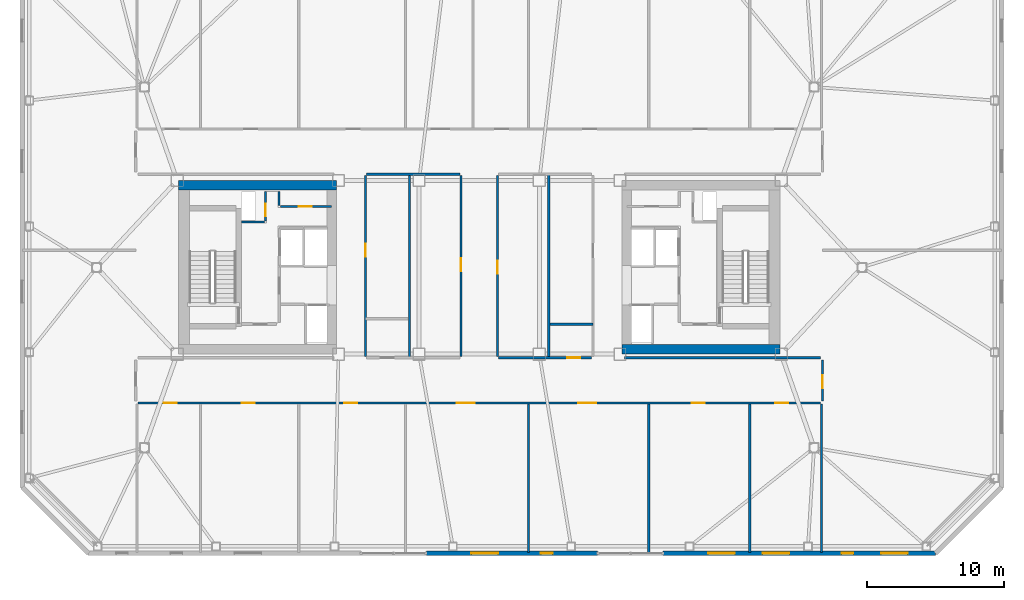
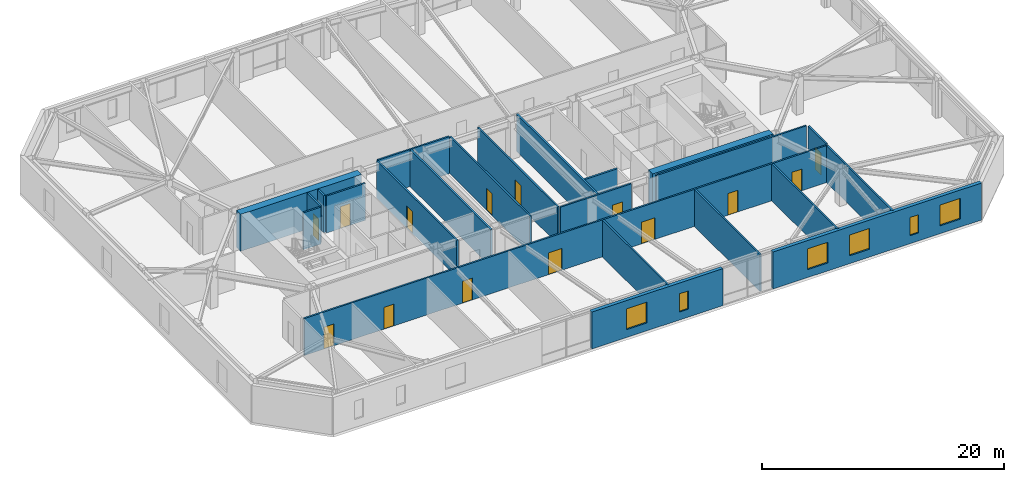
# One storey, part 11 of 18: 23 walls, 14 doors, 6 windows, 20 openings.
"""IFC4 building model written with IfcOpenShell, lengths in metres."""

from ifc_helpers import new_model, si_unit, direction, frame, frame_2d, origin, place, context, subcontext, project, spatial, rectangle, extrude, material, layer, layer_set, type_object, element, fill, save


model = new_model("IFC4")

# Units and contexts
model_context = context("Model", 3, precision=1e-05, world=origin(), true_north=direction((0.0, 1.0)))
body_context = subcontext(model_context, "Body", "Model", "MODEL_VIEW")
ifc_project = project(units=[si_unit("LENGTHUNIT", "METRE"), si_unit("AREAUNIT", "SQUARE_METRE"), si_unit("VOLUMEUNIT", "CUBIC_METRE"), si_unit("PLANEANGLEUNIT", "RADIAN"), si_unit("MASSUNIT", "GRAM", prefix="KILO")], contexts=[model_context])

# Site, building, storey
site_placement = place(None, origin())
site = spatial("IfcSite", under=ifc_project, at=site_placement, CompositionType="ELEMENT")
building_placement = place(site_placement, origin())
building = spatial("IfcBuilding", under=site, at=building_placement, Name="Tavrogorsk Clinical Tower", CompositionType="ELEMENT")
storey_placement = place(building_placement, frame((0.0, 0.0, 200.199951171875)))
storey = spatial("IfcBuildingStorey", under=building, at=storey_placement, Name="L46", CompositionType="ELEMENT", Elevation=200.199951171875)

# Wall, opening, door
ifc_material_1 = material(Name="Lightweight concrete blockwork B15", Category="masonry")
ifc_layer_1 = layer(ifc_material_1, 0.159912109375)
ifc_layer_set_1 = layer_set([ifc_layer_1], Name="Lightweight concrete blockwork B15")
wall_type_1 = type_object("IfcWallType", Name="PartitionWall_160", PredefinedType="PARTITIONING", material=ifc_layer_set_1)
wall_1_placement = place(storey_placement, frame((-14.554931640625, 4.4599609375, 0.0), z_axis=(0.0, 0.0, 1.0), x_axis=(1.0, 0.0, 0.0)))
wall_1 = element("IfcWall", 1, at=wall_1_placement, inside=storey, type_object=wall_type_1, Name="L46 Core West Pneumatic Dispatch South Wall", PredefinedType="PARTITIONING", context=body_context, shape_type="SweptSolid", body=[
    extrude(rectangle(XDim=3.7548828125, YDim=0.159912109375, at=frame_2d((1.87744140625, 0.0))), origin(), (0.0, 0.0, 1.0), 3.739990234375),
])
opening_1_placement = place(wall_1_placement, frame((1.35009765625, 0.0, 0.0)))
opening_1 = element("IfcOpeningElement", 2, at=opening_1_placement, cuts=wall_1, Name="Opening ID-02", PredefinedType="OPENING", context=body_context, shape_type="SweptSolid", body=[
    extrude(rectangle(XDim=0.949951171875, YDim=2.199951171875, at=frame_2d((0.47509765625, 1.10009765625))), frame((0.0, 0.08984375, 0.0), z_axis=(0.0, -1.0, 0.0), x_axis=(1.0, 0.0, 0.0)), (0.0, 0.0, 1.0), 0.179931640625),
])
ifc_material_2 = material(Name="Laminated timber leaf on aluminium frame", Category="wood")
door_type_1 = type_object("IfcDoorType", Name="InteriorDoor_ID02_950", OperationType="NOTDEFINED", PredefinedType="DOOR", material=ifc_material_2)
door_1_placement = place(opening_1_placement, origin())
door_1 = element("IfcDoor", 3, at=door_1_placement, inside=storey, type_object=door_type_1, Name="L46 Core West Pneumatic Dispatch Door", OperationType="SINGLE_SWING_LEFT", OverallHeight=2.199951171875, OverallWidth=0.949951171875, PredefinedType="DOOR", context=body_context, shape_type="SweptSolid", body=[
    extrude(rectangle(XDim=0.949951171875, YDim=2.199951171875, at=frame_2d((0.47509765625, 1.10009765625))), frame((0.0, 0.02490234375, 0.0), z_axis=(0.0, -1.0, 0.0), x_axis=(1.0, 0.0, 0.0)), (0.0, 0.0, 1.0), 0.050048828125),
])
fill(opening_1, door_1)

# Walls
wall_2_placement = place(storey_placement, frame((-14.639892578125, 4.544921875, 0.0), z_axis=(0.0, 0.0, 1.0), x_axis=(0.0, 1.0, 0.0)))
element("IfcWall", 4, at=wall_2_placement, inside=storey, type_object=wall_type_1, Name="L46 Core West Pneumatic Dispatch East Wall", PredefinedType="PARTITIONING", context=body_context, shape_type="SweptSolid", body=[
    extrude(rectangle(XDim=1.01513671875, YDim=0.159912109375, at=frame_2d((0.507568359375, 0.0))), origin(), (0.0, 0.0, 1.0), 3.739990234375),
])
wall_3_placement = place(storey_placement, frame((10.6298828125, -6.6201171875, 0.0), z_axis=(0.0, 0.0, 1.0), x_axis=(1.0, 0.0, 0.0)))
element("IfcWall", 5, at=wall_3_placement, inside=storey, type_object=wall_type_1, Name="L46 Corridor Partition 08", PredefinedType="PARTITIONING", context=body_context, shape_type="SweptSolid", body=[
    extrude(rectangle(XDim=14.335205078125, YDim=0.159912109375, at=frame_2d((7.16748046875, 0.0))), origin(), (0.0, 0.0, 1.0), 3.739990234375),
])

# Wall, opening, door
wall_4_placement = place(storey_placement, frame((25.1298828125, -6.784912109375, 0.0), z_axis=(0.0, 0.0, 1.0), x_axis=(0.0, -1.0, 0.0)))
wall_4 = element("IfcWall", 6, at=wall_4_placement, inside=storey, type_object=wall_type_1, Name="L46 Corridor Partition 09", PredefinedType="PARTITIONING", context=body_context, shape_type="SweptSolid", body=[
    extrude(rectangle(XDim=2.97998046875, YDim=0.159912109375, at=frame_2d((1.489990234375, 0.0))), origin(), (0.0, 0.0, 1.0), 3.739990234375),
])
opening_2_placement = place(wall_4_placement, frame((1.10009765625, 0.0, 0.0)))
opening_2 = element("IfcOpeningElement", 7, at=opening_2_placement, cuts=wall_4, Name="Opening ID-02", PredefinedType="OPENING", context=body_context, shape_type="SweptSolid", body=[
    extrude(rectangle(XDim=0.949951171875, YDim=2.199951171875, at=frame_2d((0.47509765625, 1.10009765625))), frame((0.0, 0.08984375, 0.0), z_axis=(0.0, -1.0, 0.0), x_axis=(1.0, 0.0, 0.0)), (0.0, 0.0, 1.0), 0.179931640625),
])
door_2_placement = place(opening_2_placement, origin())
door_2 = element("IfcDoor", 8, at=door_2_placement, inside=storey, type_object=door_type_1, Name="L46 E Senior Clinician Suite 1 Door", OperationType="SINGLE_SWING_RIGHT", OverallHeight=2.199951171875, OverallWidth=0.949951171875, PredefinedType="DOOR", context=body_context, shape_type="SweptSolid", body=[
    extrude(rectangle(XDim=0.949951171875, YDim=2.199951171875, at=frame_2d((0.47509765625, 1.10009765625))), frame((0.0, 0.02490234375, 0.0), z_axis=(0.0, -1.0, 0.0), x_axis=(1.0, 0.0, 0.0)), (0.0, 0.0, 1.0), 0.050048828125),
])
fill(opening_2, door_2)

# Wall, openings, doors
wall_5_placement = place(storey_placement, frame((24.965087890625, -9.929931640625, 0.0), z_axis=(0.0, 0.0, 1.0), x_axis=(-1.0, 0.0, 0.0)))
wall_5 = element("IfcWall", 9, at=wall_5_placement, inside=storey, type_object=wall_type_1, Name="L46 Corridor Partition 10", PredefinedType="PARTITIONING", context=body_context, shape_type="SweptSolid", body=[
    extrude(rectangle(XDim=49.93017578125, YDim=0.159912109375, at=frame_2d((24.965087890625, 0.0))), origin(), (0.0, 0.0, 1.0), 3.739990234375),
])
opening_3_placement = place(wall_5_placement, frame((47.10595703125, 0.0, 0.0)))
opening_3 = element("IfcOpeningElement", 10, at=opening_3_placement, cuts=wall_5, Name="Opening ID-02", PredefinedType="OPENING", context=body_context, shape_type="SweptSolid", body=[
    extrude(rectangle(XDim=0.949951171875, YDim=2.199951171875, at=frame_2d((0.47509765625, 1.10009765625))), frame((0.0, 0.08984375, 0.0), z_axis=(0.0, -1.0, 0.0), x_axis=(1.0, 0.0, 0.0)), (0.0, 0.0, 1.0), 0.179931640625),
])
opening_4_placement = place(wall_5_placement, frame((41.375, 0.0, 0.0)))
opening_4 = element("IfcOpeningElement", 11, at=opening_4_placement, cuts=wall_5, Name="Opening ID-02", PredefinedType="OPENING", context=body_context, shape_type="SweptSolid", body=[
    extrude(rectangle(XDim=0.949951171875, YDim=2.199951171875, at=frame_2d((0.47509765625, 1.10009765625))), frame((0.0, 0.08984375, 0.0), z_axis=(0.0, -1.0, 0.0), x_axis=(1.0, 0.0, 0.0)), (0.0, 0.0, 1.0), 0.179931640625),
])
opening_5_placement = place(wall_5_placement, frame((33.875, 0.0, 0.0)))
opening_5 = element("IfcOpeningElement", 12, at=opening_5_placement, cuts=wall_5, Name="Opening ID-02", PredefinedType="OPENING", context=body_context, shape_type="SweptSolid", body=[
    extrude(rectangle(XDim=0.949951171875, YDim=2.199951171875, at=frame_2d((0.47509765625, 1.10009765625))), frame((0.0, 0.08984375, 0.0), z_axis=(0.0, -1.0, 0.0), x_axis=(1.0, 0.0, 0.0)), (0.0, 0.0, 1.0), 0.179931640625),
])
opening_6_placement = place(wall_5_placement, frame((25.300048828125, 0.0, 0.0)))
opening_6 = element("IfcOpeningElement", 13, at=opening_6_placement, cuts=wall_5, Name="Opening ID-01", PredefinedType="OPENING", context=body_context, shape_type="SweptSolid", body=[
    extrude(rectangle(XDim=1.300048828125, YDim=2.199951171875, at=frame_2d((0.64990234375, 1.10009765625))), frame((0.0, 0.08984375, 0.0), z_axis=(0.0, -1.0, 0.0), x_axis=(1.0, 0.0, 0.0)), (0.0, 0.0, 1.0), 0.179931640625),
])
opening_7_placement = place(wall_5_placement, frame((16.39990234375, 0.0, 0.0)))
opening_7 = element("IfcOpeningElement", 14, at=opening_7_placement, cuts=wall_5, Name="Opening ID-01", PredefinedType="OPENING", context=body_context, shape_type="SweptSolid", body=[
    extrude(rectangle(XDim=1.300048828125, YDim=2.199951171875, at=frame_2d((0.64990234375, 1.10009765625))), frame((0.0, 0.08984375, 0.0), z_axis=(0.0, -1.0, 0.0), x_axis=(1.0, 0.0, 0.0)), (0.0, 0.0, 1.0), 0.179931640625),
])
opening_8_placement = place(wall_5_placement, frame((8.47509765625, 0.0, 0.0)))
opening_8 = element("IfcOpeningElement", 15, at=opening_8_placement, cuts=wall_5, Name="Opening ID-02", PredefinedType="OPENING", context=body_context, shape_type="SweptSolid", body=[
    extrude(rectangle(XDim=0.949951171875, YDim=2.199951171875, at=frame_2d((0.47509765625, 1.10009765625))), frame((0.0, 0.08984375, 0.0), z_axis=(0.0, -1.0, 0.0), x_axis=(1.0, 0.0, 0.0)), (0.0, 0.0, 1.0), 0.179931640625),
])
opening_9_placement = place(wall_5_placement, frame((2.343994140625, 0.0, 0.0)))
opening_9 = element("IfcOpeningElement", 16, at=opening_9_placement, cuts=wall_5, Name="Opening ID-02", PredefinedType="OPENING", context=body_context, shape_type="SweptSolid", body=[
    extrude(rectangle(XDim=0.949951171875, YDim=2.199951171875, at=frame_2d((0.47509765625, 1.10009765625))), frame((0.0, 0.08984375, 0.0), z_axis=(0.0, -1.0, 0.0), x_axis=(1.0, 0.0, 0.0)), (0.0, 0.0, 1.0), 0.179931640625),
])
door_3_placement = place(opening_3_placement, origin())
door_3 = element("IfcDoor", 17, at=door_3_placement, inside=storey, type_object=door_type_1, Name="L46 South Soiled Utility & Sluice Room 01 Door", OperationType="SINGLE_SWING_LEFT", OverallHeight=2.199951171875, OverallWidth=0.949951171875, PredefinedType="DOOR", context=body_context, shape_type="SweptSolid", body=[
    extrude(rectangle(XDim=0.949951171875, YDim=2.199951171875, at=frame_2d((0.47509765625, 1.10009765625))), frame((0.0, 0.02490234375, 0.0), z_axis=(0.0, -1.0, 0.0), x_axis=(1.0, 0.0, 0.0)), (0.0, 0.0, 1.0), 0.050048828125),
])
fill(opening_3, door_3)
door_4_placement = place(opening_4_placement, origin())
door_4 = element("IfcDoor", 18, at=door_4_placement, inside=storey, type_object=door_type_1, Name="L46 South Clinical Case Seminar Room 02 Door", OperationType="SINGLE_SWING_RIGHT", OverallHeight=2.199951171875, OverallWidth=0.949951171875, PredefinedType="DOOR", context=body_context, shape_type="SweptSolid", body=[
    extrude(rectangle(XDim=0.949951171875, YDim=2.199951171875, at=frame_2d((0.47509765625, 1.10009765625))), frame((0.0, 0.02490234375, 0.0), z_axis=(0.0, -1.0, 0.0), x_axis=(1.0, 0.0, 0.0)), (0.0, 0.0, 1.0), 0.050048828125),
])
fill(opening_4, door_4)
door_5_placement = place(opening_5_placement, origin())
door_5 = element("IfcDoor", 19, at=door_5_placement, inside=storey, type_object=door_type_1, Name="L46 South Staff Rest & Nourishment Lounge 03 Door", OperationType="SINGLE_SWING_LEFT", OverallHeight=2.199951171875, OverallWidth=0.949951171875, PredefinedType="DOOR", context=body_context, shape_type="SweptSolid", body=[
    extrude(rectangle(XDim=0.949951171875, YDim=2.199951171875, at=frame_2d((0.47509765625, 1.10009765625))), frame((0.0, 0.02490234375, 0.0), z_axis=(0.0, -1.0, 0.0), x_axis=(1.0, 0.0, 0.0)), (0.0, 0.0, 1.0), 0.050048828125),
])
fill(opening_5, door_5)
door_6_placement = place(opening_8_placement, origin())
door_6 = element("IfcDoor", 20, at=door_6_placement, inside=storey, type_object=door_type_1, Name="L46 South Soiled Utility & Sluice Room 06 Door", OperationType="SINGLE_SWING_RIGHT", OverallHeight=2.199951171875, OverallWidth=0.949951171875, PredefinedType="DOOR", context=body_context, shape_type="SweptSolid", body=[
    extrude(rectangle(XDim=0.949951171875, YDim=2.199951171875, at=frame_2d((0.47509765625, 1.10009765625))), frame((0.0, 0.02490234375, 0.0), z_axis=(0.0, -1.0, 0.0), x_axis=(1.0, 0.0, 0.0)), (0.0, 0.0, 1.0), 0.050048828125),
])
fill(opening_8, door_6)
door_7_placement = place(opening_9_placement, origin())
door_7 = element("IfcDoor", 21, at=door_7_placement, inside=storey, type_object=door_type_1, Name="L46 South Clinical Case Seminar Room 07 Door", OperationType="SINGLE_SWING_LEFT", OverallHeight=2.199951171875, OverallWidth=0.949951171875, PredefinedType="DOOR", context=body_context, shape_type="SweptSolid", body=[
    extrude(rectangle(XDim=0.949951171875, YDim=2.199951171875, at=frame_2d((0.47509765625, 1.10009765625))), frame((0.0, 0.02490234375, 0.0), z_axis=(0.0, -1.0, 0.0), x_axis=(1.0, 0.0, 0.0)), (0.0, 0.0, 1.0), 0.050048828125),
])
fill(opening_9, door_7)
ifc_material_3 = material(Name="Antibacterial HPL medical leaf on aluminium frame", Category="aluminium")
door_type_2 = type_object("IfcDoorType", Name="WardBedDoor_ID01_1300", OperationType="NOTDEFINED", PredefinedType="DOOR", material=ifc_material_3)
door_8_placement = place(opening_6_placement, origin())
door_8 = element("IfcDoor", 22, at=door_8_placement, inside=storey, type_object=door_type_2, Name="L46 South Bariatric Observation Ward 04 Door", OperationType="SINGLE_SWING_RIGHT", OverallHeight=2.199951171875, OverallWidth=1.300048828125, PredefinedType="DOOR", context=body_context, shape_type="SweptSolid", body=[
    extrude(rectangle(XDim=1.300048828125, YDim=2.199951171875, at=frame_2d((0.64990234375, 1.10009765625))), frame((0.0, 0.02490234375, 0.0), z_axis=(0.0, -1.0, 0.0), x_axis=(1.0, 0.0, 0.0)), (0.0, 0.0, 1.0), 0.050048828125),
])
fill(opening_6, door_8)
door_9_placement = place(opening_7_placement, origin())
door_9 = element("IfcDoor", 23, at=door_9_placement, inside=storey, type_object=door_type_2, Name="L46 South Surgical Step-Down Ward 05 Door", OperationType="SINGLE_SWING_LEFT", OverallHeight=2.199951171875, OverallWidth=1.300048828125, PredefinedType="DOOR", context=body_context, shape_type="SweptSolid", body=[
    extrude(rectangle(XDim=1.300048828125, YDim=2.199951171875, at=frame_2d((0.64990234375, 1.10009765625))), frame((0.0, 0.02490234375, 0.0), z_axis=(0.0, -1.0, 0.0), x_axis=(1.0, 0.0, 0.0)), (0.0, 0.0, 1.0), 0.050048828125),
])
fill(opening_7, door_9)

# Wall, opening, door
wall_6_placement = place(storey_placement, frame((1.330078125, 6.735107421875, 0.0), z_axis=(0.0, 0.0, 1.0), x_axis=(0.0, -1.0, 0.0)))
wall_6 = element("IfcWall", 24, at=wall_6_placement, inside=storey, type_object=wall_type_1, Name="L46 Corridor Partition 12", PredefinedType="PARTITIONING", context=body_context, shape_type="SweptSolid", body=[
    extrude(rectangle(XDim=13.27001953125, YDim=0.159912109375, at=frame_2d((6.635009765625, 0.0))), origin(), (0.0, 0.0, 1.0), 3.739990234375),
])
opening_10_placement = place(wall_6_placement, frame((6.2451171875, 0.0, 0.0)))
opening_10 = element("IfcOpeningElement", 25, at=opening_10_placement, cuts=wall_6, Name="Opening ID-02", PredefinedType="OPENING", context=body_context, shape_type="SweptSolid", body=[
    extrude(rectangle(XDim=0.949951171875, YDim=2.199951171875, at=frame_2d((0.47509765625, 1.10009765625))), frame((0.0, 0.08984375, 0.0), z_axis=(0.0, -1.0, 0.0), x_axis=(1.0, 0.0, 0.0)), (0.0, 0.0, 1.0), 0.179931640625),
])
door_10_placement = place(opening_10_placement, origin())
door_10 = element("IfcDoor", 26, at=door_10_placement, inside=storey, type_object=door_type_1, Name="L46 Clean Medication Preparation Room Door", OperationType="SINGLE_SWING_LEFT", OverallHeight=2.199951171875, OverallWidth=0.949951171875, PredefinedType="DOOR", context=body_context, shape_type="SweptSolid", body=[
    extrude(rectangle(XDim=0.949951171875, YDim=2.199951171875, at=frame_2d((0.47509765625, 1.10009765625))), frame((0.0, 0.02490234375, 0.0), z_axis=(0.0, -1.0, 0.0), x_axis=(1.0, 0.0, 0.0)), (0.0, 0.0, 1.0), 0.050048828125),
])
fill(opening_10, door_10)

wall_7_placement = place(storey_placement, frame((1.4150390625, -6.6201171875, 0.0), z_axis=(0.0, 0.0, 1.0), x_axis=(1.0, 0.0, 0.0)))
wall_7 = element("IfcWall", 27, at=wall_7_placement, inside=storey, type_object=wall_type_1, Name="L46 Corridor Partition 13", PredefinedType="PARTITIONING", context=body_context, shape_type="SweptSolid", body=[
    extrude(rectangle(XDim=6.820068359375, YDim=0.159912109375, at=frame_2d((3.41015625, 0.0))), origin(), (0.0, 0.0, 1.0), 3.739990234375),
])
opening_11_placement = place(wall_7_placement, frame((5.010986328125, 0.0, 0.0)))
opening_11 = element("IfcOpeningElement", 28, at=opening_11_placement, cuts=wall_7, Name="Opening ID-02", PredefinedType="OPENING", context=body_context, shape_type="SweptSolid", body=[
    extrude(rectangle(XDim=0.949951171875, YDim=2.199951171875, at=frame_2d((0.47509765625, 1.10009765625))), frame((0.0, 0.08984375, 0.0), z_axis=(0.0, -1.0, 0.0), x_axis=(1.0, 0.0, 0.0)), (0.0, 0.0, 1.0), 0.179931640625),
])
door_11_placement = place(opening_11_placement, origin())
door_11 = element("IfcDoor", 29, at=door_11_placement, inside=storey, type_object=door_type_1, Name="L46 Staff & Visitor Accessible WC Door", OperationType="SINGLE_SWING_RIGHT", OverallHeight=2.199951171875, OverallWidth=0.949951171875, PredefinedType="DOOR", context=body_context, shape_type="SweptSolid", body=[
    extrude(rectangle(XDim=0.949951171875, YDim=2.199951171875, at=frame_2d((0.47509765625, 1.10009765625))), frame((0.0, 0.02490234375, 0.0), z_axis=(0.0, -1.0, 0.0), x_axis=(1.0, 0.0, 0.0)), (0.0, 0.0, 1.0), 0.050048828125),
])
fill(opening_11, door_11)

wall_8_placement = place(storey_placement, frame((-1.330078125, -6.534912109375, 0.0), z_axis=(0.0, 0.0, 1.0), x_axis=(0.0, 1.0, 0.0)))
wall_8 = element("IfcWall", 30, at=wall_8_placement, inside=storey, type_object=wall_type_1, Name="L46 Corridor Partition 15", PredefinedType="PARTITIONING", context=body_context, shape_type="SweptSolid", body=[
    extrude(rectangle(XDim=13.27001953125, YDim=0.159912109375, at=frame_2d((6.635009765625, 0.0))), origin(), (0.0, 0.0, 1.0), 3.739990234375),
])
opening_12_placement = place(wall_8_placement, frame((6.2451171875, 0.0, 0.0)))
opening_12 = element("IfcOpeningElement", 31, at=opening_12_placement, cuts=wall_8, Name="Opening ID-02", PredefinedType="OPENING", context=body_context, shape_type="SweptSolid", body=[
    extrude(rectangle(XDim=0.949951171875, YDim=2.199951171875, at=frame_2d((0.47509765625, 1.10009765625))), frame((0.0, 0.08984375, 0.0), z_axis=(0.0, -1.0, 0.0), x_axis=(1.0, 0.0, 0.0)), (0.0, 0.0, 1.0), 0.179931640625),
])
door_12_placement = place(opening_12_placement, origin())
door_12 = element("IfcDoor", 32, at=door_12_placement, inside=storey, type_object=door_type_1, Name="L46 Nurses' Station & Telemetry Hub Door", OperationType="SINGLE_SWING_RIGHT", OverallHeight=2.199951171875, OverallWidth=0.949951171875, PredefinedType="DOOR", context=body_context, shape_type="SweptSolid", body=[
    extrude(rectangle(XDim=0.949951171875, YDim=2.199951171875, at=frame_2d((0.47509765625, 1.10009765625))), frame((0.0, 0.02490234375, 0.0), z_axis=(0.0, -1.0, 0.0), x_axis=(1.0, 0.0, 0.0)), (0.0, 0.0, 1.0), 0.050048828125),
])
fill(opening_12, door_12)

# Wall
wall_9_placement = place(storey_placement, frame((-1.4150390625, 6.820068359375, 0.0), z_axis=(0.0, 0.0, 1.0), x_axis=(-1.0, 0.0, 0.0)))
element("IfcWall", 33, at=wall_9_placement, inside=storey, type_object=wall_type_1, Name="L46 Corridor Partition 16", PredefinedType="PARTITIONING", context=body_context, shape_type="SweptSolid", body=[
    extrude(rectangle(XDim=6.820068359375, YDim=0.159912109375, at=frame_2d((3.41015625, 0.0))), origin(), (0.0, 0.0, 1.0), 3.739990234375),
])

# Wall, opening, door
wall_10_placement = place(storey_placement, frame((-8.320068359375, 6.735107421875, 0.0), z_axis=(0.0, 0.0, 1.0), x_axis=(0.0, -1.0, 0.0)))
wall_10 = element("IfcWall", 34, at=wall_10_placement, inside=storey, type_object=wall_type_1, Name="L46 Corridor Partition 17", PredefinedType="PARTITIONING", context=body_context, shape_type="SweptSolid", body=[
    extrude(rectangle(XDim=13.27001953125, YDim=0.159912109375, at=frame_2d((6.635009765625, 0.0))), origin(), (0.0, 0.0, 1.0), 3.739990234375),
])
opening_13_placement = place(wall_10_placement, frame((5.004150390625, 0.0, 0.0)))
opening_13 = element("IfcOpeningElement", 35, at=opening_13_placement, cuts=wall_10, Name="Opening ID-02", PredefinedType="OPENING", context=body_context, shape_type="SweptSolid", body=[
    extrude(rectangle(XDim=0.949951171875, YDim=2.199951171875, at=frame_2d((0.47509765625, 1.10009765625))), frame((0.0, 0.08984375, 0.0), z_axis=(0.0, -1.0, 0.0), x_axis=(1.0, 0.0, 0.0)), (0.0, 0.0, 1.0), 0.179931640625),
])
door_13_placement = place(opening_13_placement, origin())
door_13 = element("IfcDoor", 36, at=door_13_placement, inside=storey, type_object=door_type_1, Name="L46 Ward Nourishment Pantry Door", OperationType="SINGLE_SWING_LEFT", OverallHeight=2.199951171875, OverallWidth=0.949951171875, PredefinedType="DOOR", context=body_context, shape_type="SweptSolid", body=[
    extrude(rectangle(XDim=0.949951171875, YDim=2.199951171875, at=frame_2d((0.47509765625, 1.10009765625))), frame((0.0, 0.02490234375, 0.0), z_axis=(0.0, -1.0, 0.0), x_axis=(1.0, 0.0, 0.0)), (0.0, 0.0, 1.0), 0.050048828125),
])
fill(opening_13, door_13)

# Walls
for number, where, z_axis, x_axis, name in (
    (37, (25.050048828125, -20.860107421875, 0.0), (0.0, 0.0, 1.0), (0.0, 1.0, 0.0), "L46 SE Wing Closure Partition"),
    (38, (3.60009765625, -20.860107421875, 0.0), (0.0, 0.0, 1.0), (0.0, 1.0, 0.0), "L46 South Room Partition 4"),
    (39, (12.39990234375, -20.860107421875, 0.0), (0.0, 0.0, 1.0), (0.0, 1.0, 0.0), "L46 South Room Partition 5"),
    (40, (19.800048828125, -20.860107421875, 0.0), (0.0, 0.0, 1.0), (0.0, 1.0, 0.0), "L46 South Room Partition 6"),
):
    element("IfcWall", number, at=place(storey_placement, frame(where, z_axis=z_axis, x_axis=x_axis)), inside=storey, type_object=wall_type_1, Name=name, PredefinedType="PARTITIONING", context=body_context, shape_type="SweptSolid", body=[
        extrude(rectangle(XDim=10.84521484375, YDim=0.159912109375, at=frame_2d((5.422607421875, 0.0))), origin(), (0.0, 0.0, 1.0), 3.739990234375),
    ])
ifc_material_4 = material(Name="Lightweight concrete blockwork B20", Category="masonry")
ifc_layer_2 = layer(ifc_material_4, 0.179931640625)
ifc_layer_set_2 = layer_set([ifc_layer_2], Name="Lightweight concrete blockwork B20")
wall_type_2 = type_object("IfcWallType", Name="PartitionWall_180", PredefinedType="PARTITIONING", material=ifc_layer_set_2)
for number, where, z_axis, x_axis, name in (
    (41, (-5.10009765625, -6.614990234375, 0.0), (0.0, 0.0, 1.0), (0.0, 1.0, 0.0), "L46 Central Spine Partition 1"),
    (42, (5.10009765625, -6.614990234375, 0.0), (0.0, 0.0, 1.0), (0.0, 1.0, 0.0), "L46 Central Spine Partition 2"),
):
    element("IfcWall", number, at=place(storey_placement, frame(where, z_axis=z_axis, x_axis=x_axis)), inside=storey, type_object=wall_type_2, Name=name, PredefinedType="PARTITIONING", context=body_context, shape_type="SweptSolid", body=[
        extrude(rectangle(XDim=13.429931640625, YDim=0.179931640625, at=frame_2d((6.71484375, 0.0))), origin(), (0.0, 0.0, 1.0), 3.739990234375),
    ])
wall_11_placement = place(storey_placement, frame((5.195068359375, -4.14990234375, 0.0), z_axis=(0.0, 0.0, 1.0), x_axis=(1.0, 0.0, 0.0)))
element("IfcWall", 43, at=wall_11_placement, inside=storey, type_object=wall_type_2, Name="L46 Central Spine Partition 4", PredefinedType="PARTITIONING", context=body_context, shape_type="SweptSolid", body=[
    extrude(rectangle(XDim=3.119873046875, YDim=0.179931640625, at=frame_2d((1.56005859375, 0.0))), origin(), (0.0, 0.0, 1.0), 3.739990234375),
])

# Wall, openings, windows
ifc_material_5 = material(Name="Precast concrete B45 with limestone cladding", Category="masonry")
ifc_layer_3 = layer(ifc_material_5, 0.340087890625)
ifc_layer_set_3 = layer_set([ifc_layer_3], Name="Precast concrete B45 with limestone cladding")
wall_type_3 = type_object("IfcWallType", Name="PrecastLimestoneWall_340", PredefinedType="STANDARD", material=ifc_layer_set_3)
wall_12_placement = place(storey_placement, frame((-3.86279296875, -20.929931640625, 0.0), z_axis=(0.0, 0.0, 1.0), x_axis=(1.0, 0.0, 0.0)))
wall_12 = element("IfcWall", 44, at=wall_12_placement, inside=storey, type_object=wall_type_3, Name="L46 S Limestone Facade Wall 2", PredefinedType="STANDARD", context=body_context, shape_type="SweptSolid", body=[
    extrude(rectangle(XDim=12.525634765625, YDim=0.340087890625, at=frame_2d((6.2626953125, 0.0))), origin(), (0.0, 0.0, 1.0), 3.739990234375),
])
opening_14_placement = place(wall_12_placement, frame((3.29541015625, 0.0, 0.800048828125)))
opening_14 = element("IfcOpeningElement", 45, at=opening_14_placement, cuts=wall_12, Name="Opening WN-13", PredefinedType="OPENING", context=body_context, shape_type="SweptSolid", body=[
    extrude(rectangle(XDim=1.949951171875, YDim=2.10009765625, at=frame_2d((0.97509765625, 1.050048828125))), frame((0.0, 0.179931640625, 0.0), z_axis=(0.0, -1.0, 0.0), x_axis=(1.0, 0.0, 0.0)), (0.0, 0.0, 1.0), 0.360107421875),
])
opening_15_placement = place(wall_12_placement, frame((8.38037109375, 0.0, 0.800048828125)))
opening_15 = element("IfcOpeningElement", 46, at=opening_15_placement, cuts=wall_12, Name="Opening WN-06", PredefinedType="OPENING", context=body_context, shape_type="SweptSolid", body=[
    extrude(rectangle(XDim=0.85009765625, YDim=1.85009765625, at=frame_2d((0.425048828125, 0.925048828125))), frame((0.0, 0.179931640625, 0.0), z_axis=(0.0, -1.0, 0.0), x_axis=(1.0, 0.0, 0.0)), (0.0, 0.0, 1.0), 0.360107421875),
])
ifc_material_6 = material(Name="Thermally broken aluminium frame and triple IGU", Category="aluminium")
window_type_1 = type_object("IfcWindowType", Name="ExamRoomWin_1950x2100", PartitioningType="DOUBLE_PANEL_VERTICAL", PredefinedType="WINDOW", material=ifc_material_6)
window_1_placement = place(opening_14_placement, origin())
window_1 = element("IfcWindow", 47, at=window_1_placement, inside=storey, type_object=window_type_1, Name="L46 S Chicago Window 05", OverallHeight=2.10009765625, OverallWidth=1.949951171875, PartitioningType="SINGLE_PANEL", PredefinedType="WINDOW", context=body_context, shape_type="SweptSolid", body=[
    extrude(rectangle(XDim=1.949951171875, YDim=2.10009765625, at=frame_2d((0.97509765625, 1.050048828125))), frame((0.0, 0.030029296875, 0.0), z_axis=(0.0, -1.0, 0.0), x_axis=(1.0, 0.0, 0.0)), (0.0, 0.0, 1.0), 0.06005859375),
])
fill(opening_14, window_1)
ifc_material_7 = material(Name="Thermally broken aluminium frame and triple IGU", Category="aluminium")
window_type_2 = type_object("IfcWindowType", Name="MullionSubWin_850x1850", PartitioningType="SINGLE_PANEL", PredefinedType="WINDOW", material=ifc_material_7)
window_2_placement = place(opening_15_placement, origin())
window_2 = element("IfcWindow", 48, at=window_2_placement, inside=storey, type_object=window_type_2, Name="L46 S Mullion Split Window 06B", OverallHeight=1.85009765625, OverallWidth=0.85009765625, PartitioningType="SINGLE_PANEL", PredefinedType="WINDOW", context=body_context, shape_type="SweptSolid", body=[
    extrude(rectangle(XDim=0.85009765625, YDim=1.85009765625, at=frame_2d((0.425048828125, 0.925048828125))), frame((0.0, 0.030029296875, 0.0), z_axis=(0.0, -1.0, 0.0), x_axis=(1.0, 0.0, 0.0)), (0.0, 0.0, 1.0), 0.06005859375),
])
fill(opening_15, window_2)

wall_13_placement = place(storey_placement, frame((13.462890625, -20.929931640625, 0.0), z_axis=(0.0, 0.0, 1.0), x_axis=(1.0, 0.0, 0.0)))
wall_13 = element("IfcWall", 49, at=wall_13_placement, inside=storey, type_object=wall_type_3, Name="L46 S Limestone Facade Wall 3", PredefinedType="STANDARD", context=body_context, shape_type="SweptSolid", body=[
    extrude(rectangle(XDim=19.93701171875, YDim=0.340087890625, at=frame_2d((9.968505859375, 0.0))), origin(), (0.0, 0.0, 1.0), 3.739990234375),
])
opening_16_placement = place(wall_13_placement, frame((3.29541015625, 0.0, 0.800048828125)))
opening_16 = element("IfcOpeningElement", 50, at=opening_16_placement, cuts=wall_13, Name="Opening WN-13", PredefinedType="OPENING", context=body_context, shape_type="SweptSolid", body=[
    extrude(rectangle(XDim=1.949951171875, YDim=2.10009765625, at=frame_2d((0.97509765625, 1.050048828125))), frame((0.0, 0.179931640625, 0.0), z_axis=(0.0, -1.0, 0.0), x_axis=(1.0, 0.0, 0.0)), (0.0, 0.0, 1.0), 0.360107421875),
])
opening_17_placement = place(wall_13_placement, frame((7.2802734375, 0.0, 0.800048828125)))
opening_17 = element("IfcOpeningElement", 51, at=opening_17_placement, cuts=wall_13, Name="Opening WN-13", PredefinedType="OPENING", context=body_context, shape_type="SweptSolid", body=[
    extrude(rectangle(XDim=1.949951171875, YDim=2.10009765625, at=frame_2d((0.97509765625, 1.050048828125))), frame((0.0, 0.179931640625, 0.0), z_axis=(0.0, -1.0, 0.0), x_axis=(1.0, 0.0, 0.0)), (0.0, 0.0, 1.0), 0.360107421875),
])
opening_18_placement = place(wall_13_placement, frame((13.058349609375, 0.0, 0.800048828125)))
opening_18 = element("IfcOpeningElement", 52, at=opening_18_placement, cuts=wall_13, Name="Opening WN-06", PredefinedType="OPENING", context=body_context, shape_type="SweptSolid", body=[
    extrude(rectangle(XDim=0.85009765625, YDim=1.85009765625, at=frame_2d((0.425048828125, 0.925048828125))), frame((0.0, 0.179931640625, 0.0), z_axis=(0.0, -1.0, 0.0), x_axis=(1.0, 0.0, 0.0)), (0.0, 0.0, 1.0), 0.360107421875),
])
opening_19_placement = place(wall_13_placement, frame((15.943115234375, 0.0, 0.800048828125)))
opening_19 = element("IfcOpeningElement", 53, at=opening_19_placement, cuts=wall_13, Name="Opening WN-13", PredefinedType="OPENING", context=body_context, shape_type="SweptSolid", body=[
    extrude(rectangle(XDim=1.949951171875, YDim=2.10009765625, at=frame_2d((0.97509765625, 1.050048828125))), frame((0.0, 0.179931640625, 0.0), z_axis=(0.0, -1.0, 0.0), x_axis=(1.0, 0.0, 0.0)), (0.0, 0.0, 1.0), 0.360107421875),
])
window_3_placement = place(opening_16_placement, origin())
window_3 = element("IfcWindow", 54, at=window_3_placement, inside=storey, type_object=window_type_1, Name="L46 S Chicago Window 07", OverallHeight=2.10009765625, OverallWidth=1.949951171875, PartitioningType="SINGLE_PANEL", PredefinedType="WINDOW", context=body_context, shape_type="SweptSolid", body=[
    extrude(rectangle(XDim=1.949951171875, YDim=2.10009765625, at=frame_2d((0.97509765625, 1.050048828125))), frame((0.0, 0.030029296875, 0.0), z_axis=(0.0, -1.0, 0.0), x_axis=(1.0, 0.0, 0.0)), (0.0, 0.0, 1.0), 0.06005859375),
])
fill(opening_16, window_3)
window_4_placement = place(opening_17_placement, origin())
window_4 = element("IfcWindow", 55, at=window_4_placement, inside=storey, type_object=window_type_1, Name="L46 S Chicago Window 08", OverallHeight=2.10009765625, OverallWidth=1.949951171875, PartitioningType="SINGLE_PANEL", PredefinedType="WINDOW", context=body_context, shape_type="SweptSolid", body=[
    extrude(rectangle(XDim=1.949951171875, YDim=2.10009765625, at=frame_2d((0.97509765625, 1.050048828125))), frame((0.0, 0.030029296875, 0.0), z_axis=(0.0, -1.0, 0.0), x_axis=(1.0, 0.0, 0.0)), (0.0, 0.0, 1.0), 0.06005859375),
])
fill(opening_17, window_4)
window_5_placement = place(opening_19_placement, origin())
window_5 = element("IfcWindow", 56, at=window_5_placement, inside=storey, type_object=window_type_1, Name="L46 S Chicago Window 10", OverallHeight=2.10009765625, OverallWidth=1.949951171875, PartitioningType="SINGLE_PANEL", PredefinedType="WINDOW", context=body_context, shape_type="SweptSolid", body=[
    extrude(rectangle(XDim=1.949951171875, YDim=2.10009765625, at=frame_2d((0.97509765625, 1.050048828125))), frame((0.0, 0.030029296875, 0.0), z_axis=(0.0, -1.0, 0.0), x_axis=(1.0, 0.0, 0.0)), (0.0, 0.0, 1.0), 0.06005859375),
])
fill(opening_19, window_5)
window_6_placement = place(opening_18_placement, origin())
window_6 = element("IfcWindow", 57, at=window_6_placement, inside=storey, type_object=window_type_2, Name="L46 S Mullion Split Window 09B", OverallHeight=1.85009765625, OverallWidth=0.85009765625, PartitioningType="SINGLE_PANEL", PredefinedType="WINDOW", context=body_context, shape_type="SweptSolid", body=[
    extrude(rectangle(XDim=0.85009765625, YDim=1.85009765625, at=frame_2d((0.425048828125, 0.925048828125))), frame((0.0, 0.030029296875, 0.0), z_axis=(0.0, -1.0, 0.0), x_axis=(1.0, 0.0, 0.0)), (0.0, 0.0, 1.0), 0.06005859375),
])
fill(opening_18, window_6)

# Wall, opening, door
ifc_material_8 = material(Name="Lightweight concrete blockwork B25", Category="masonry")
ifc_layer_4 = layer(ifc_material_8, 0.159912109375)
ifc_layer_set_4 = layer_set([ifc_layer_4], Name="Lightweight concrete blockwork B25")
wall_type_4 = type_object("IfcWallType", Name="ShaftWall_160", PredefinedType="PARTITIONING", material=ifc_layer_set_4)
wall_14_placement = place(storey_placement, frame((-15.639892578125, 3.405029296875, 0.0), z_axis=(0.0, 0.0, 1.0), x_axis=(0.0, 1.0, 0.0)))
wall_14 = element("IfcWall", 58, at=wall_14_placement, inside=storey, type_object=wall_type_4, Name="L46 Core West Riser West Wall", PredefinedType="PARTITIONING", context=body_context, shape_type="SweptSolid", body=[
    extrude(rectangle(XDim=2.155029296875, YDim=0.159912109375, at=frame_2d((1.07763671875, 0.0))), origin(), (0.0, 0.0, 1.0), 3.739990234375),
])
opening_20_placement = place(wall_14_placement, frame((0.35009765625, 0.0, 0.0)))
opening_20 = element("IfcOpeningElement", 59, at=opening_20_placement, cuts=wall_14, Name="Opening FD-02", PredefinedType="OPENING", context=body_context, shape_type="SweptSolid", body=[
    extrude(rectangle(XDim=0.89990234375, YDim=2.199951171875, at=frame_2d((0.449951171875, 1.10009765625))), frame((0.0, 0.08984375, 0.0), z_axis=(0.0, -1.0, 0.0), x_axis=(1.0, 0.0, 0.0)), (0.0, 0.0, 1.0), 0.179931640625),
])
ifc_material_9 = material(Name="Galvanised steel fire-rated door assembly", Category="steel")
door_type_3 = type_object("IfcDoorType", Name="FireDoor_FD02_900", OperationType="NOTDEFINED", PredefinedType="DOOR", material=ifc_material_9)
door_14_placement = place(opening_20_placement, origin())
door_14 = element("IfcDoor", 60, at=door_14_placement, inside=storey, type_object=door_type_3, Name="L46 Core West Electrical Riser Access Door", OperationType="SINGLE_SWING_LEFT", OverallHeight=2.199951171875, OverallWidth=0.89990234375, PredefinedType="DOOR", context=body_context, shape_type="SweptSolid", body=[
    extrude(rectangle(XDim=0.89990234375, YDim=2.199951171875, at=frame_2d((0.449951171875, 1.10009765625))), frame((0.0, 0.02490234375, 0.0), z_axis=(0.0, -1.0, 0.0), x_axis=(1.0, 0.0, 0.0)), (0.0, 0.0, 1.0), 0.050048828125),
])
fill(opening_20, door_14)

# Walls
wall_15_placement = place(storey_placement, frame((-17.3798828125, 3.320068359375, 0.0), z_axis=(0.0, 0.0, 1.0), x_axis=(1.0, 0.0, 0.0)))
element("IfcWall", 61, at=wall_15_placement, inside=storey, type_object=wall_type_4, Name="L46 Core West Riser South Wall", PredefinedType="PARTITIONING", context=body_context, shape_type="SweptSolid", body=[
    extrude(rectangle(XDim=1.65478515625, YDim=0.159912109375, at=frame_2d((0.827392578125, 0.0))), origin(), (0.0, 0.0, 1.0), 3.739990234375),
])
ifc_material_10 = material(Name="Concrete B80", Category="concrete")
ifc_layer_5 = layer(ifc_material_10, 0.699951171875)
ifc_layer_set_5 = layer_set([ifc_layer_5], Name="Concrete B80")
wall_type_5 = type_object("IfcWallType", Name="ShearWall_700", PredefinedType="SHEAR", material=ifc_layer_set_5)
for number, where, z_axis, x_axis, name in (
    (62, (-22.0, 6.0, 0.0), (0.0, 0.0, 1.0), (1.0, 0.0, 0.0), "L46 Core West North Shear Wall"),
    (63, (10.449951171875, -6.0, 0.0), (0.0, 0.0, 1.0), (1.0, 0.0, 0.0), "L46 Core East South Shear Wall"),
):
    element("IfcWall", number, at=place(storey_placement, frame(where, z_axis=z_axis, x_axis=x_axis)), inside=storey, type_object=wall_type_5, Name=name, PredefinedType="SHEAR", context=body_context, shape_type="SweptSolid", body=[
        extrude(rectangle(XDim=11.550048828125, YDim=0.699951171875, at=frame_2d((5.77490234375, 0.0))), origin(), (0.0, 0.0, 1.0), 3.739990234375),
    ])

save(model, "model.ifc")
